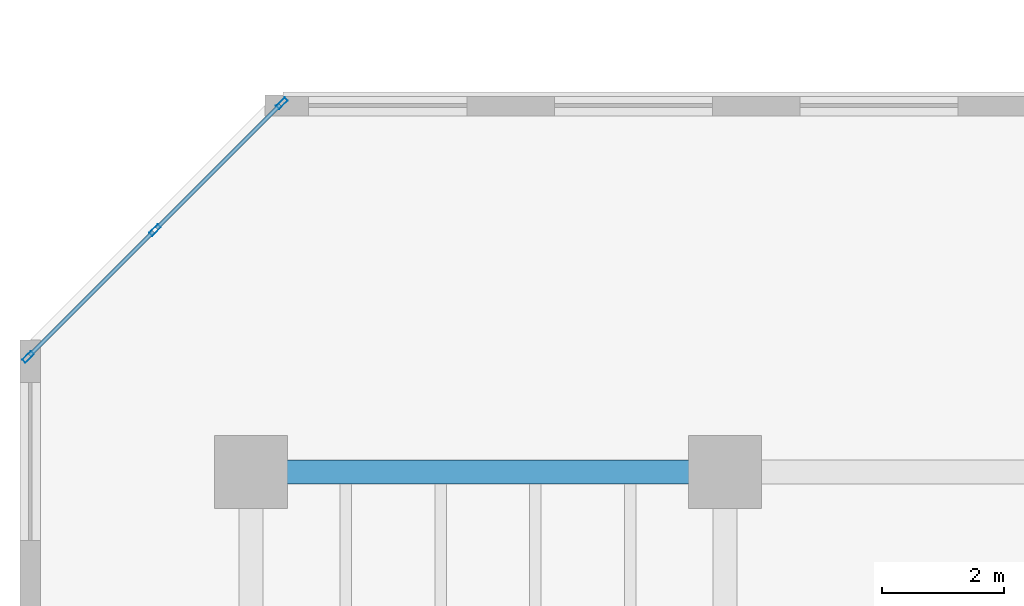
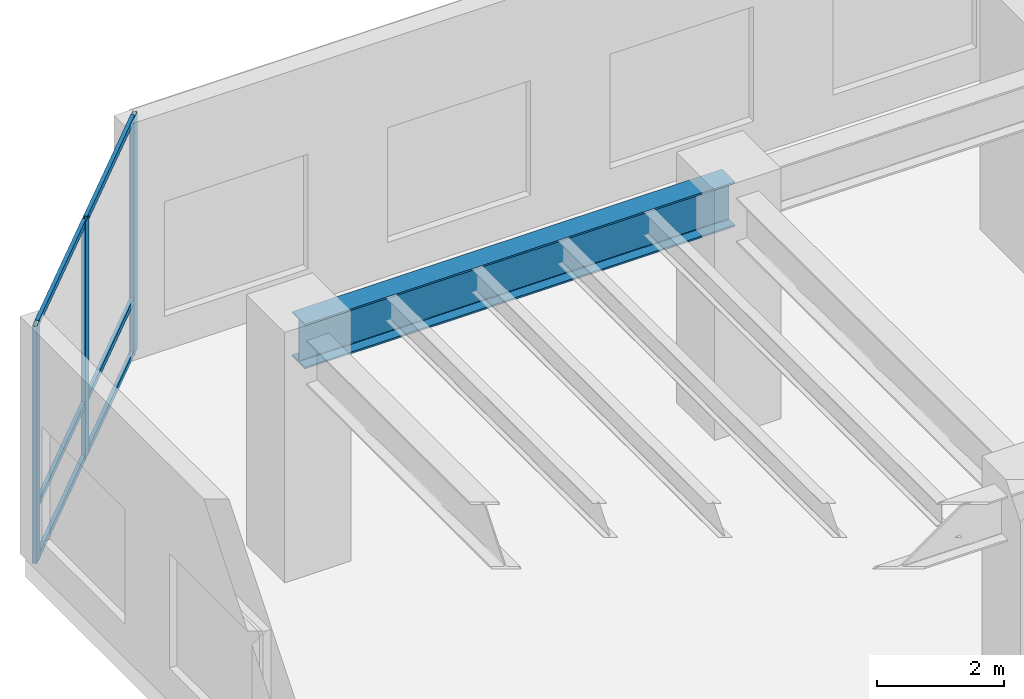
# One storey, part 4 of 17: 9 members, 1 beam, 1 element without a shape of its own.
"""IFC4 building model written with IfcOpenShell, lengths in metres."""

from ifc_helpers import new_model, si_unit, direction, frame, origin, origin_2d, place, context, subcontext, project, spatial, hollow_rectangle, i_section, extrude, material, layer, layer_set, material_profile, profile_set, type_object, element, aggregate, save


model = new_model("IFC4")

# Units and contexts
model_context = context("Model", 3, precision=1e-05, world=origin(), true_north=direction((0.0, 1.0)))
body_context = subcontext(model_context, "Body", "Model", "MODEL_VIEW")
ifc_project = project(units=[si_unit("LENGTHUNIT", "METRE"), si_unit("AREAUNIT", "SQUARE_METRE"), si_unit("VOLUMEUNIT", "CUBIC_METRE"), si_unit("PLANEANGLEUNIT", "RADIAN"), si_unit("MASSUNIT", "GRAM", prefix="KILO")], contexts=[model_context])

# Site, building, storey
site_placement = place(None, origin())
site = spatial("IfcSite", under=ifc_project, at=site_placement, CompositionType="ELEMENT")
building_placement = place(site_placement, origin())
building = spatial("IfcBuilding", under=site, at=building_placement, Name="Kestravale Grand Hotel", CompositionType="ELEMENT")
storey_placement = place(building_placement, frame((0.0, 0.0, 129.800048828125)))
storey = spatial("IfcBuildingStorey", under=building, at=storey_placement, Name="L32", CompositionType="ELEMENT", Elevation=129.800048828125)

# Beam
ifc_material_1 = material(Name="Steel ASTM A992 Grade 50", Category="steel")
ifc_material_profile_1 = material_profile(ifc_material_1, i_section(OverallWidth=0.40087890625, OverallDepth=0.861083984375, WebThickness=0.019775390625, FlangeThickness=0.032470703125, FilletRadius=0.0234375, at=origin_2d()))
ifc_profile_set_1 = profile_set([ifc_material_profile_1], Name="Steel ASTM A992 Grade 50")
beam_type = type_object("IfcBeamType", Name="B-GRD-W33", PredefinedType="BEAM", material=ifc_profile_set_1)
beam_placement = place(storey_placement, frame((7.800048828125, 38.39990234375, 4.079345703125), z_axis=(1.0, 0.0, 0.0), x_axis=(0.0, 1.0, 0.0)))
element("IfcBeam", 1, at=beam_placement, inside=storey, type_object=beam_type, Name="L32 girder F:2-3", PredefinedType="BEAM", context=body_context, shape_type="SweptSolid", body=[
    extrude(i_section(OverallWidth=0.40087890625, OverallDepth=0.861083984375, WebThickness=0.019775390625, FlangeThickness=0.032470703125, FilletRadius=0.0234375, at=origin_2d()), origin(), (0.0, 0.0, 1.0), 7.800048828125),
])

# Curtain wall, members
ifc_material_2 = material(Name="Thermally broken champagne-bronze aluminium and low-E glazing", Category="aluminium")
ifc_layer = layer(ifc_material_2, 0.199951171875)
ifc_layer_set = layer_set([ifc_layer], Name="CW-Z2")
curtain_wall_type = type_object("IfcCurtainWallType", Name="CW-Z2", PredefinedType="NOTDEFINED", material=ifc_layer_set)
curtain_wall_placement = place(storey_placement, origin())
curtain_wall = element("IfcCurtainWall", 2, at=curtain_wall_placement, inside=storey, type_object=curtain_wall_type, Name="L32 unitised curtain wall 18", PredefinedType="NOTDEFINED")
ifc_material_3 = material(Name="Aluminium 6063-T6 anodised", Category="aluminium")
ifc_material_profile_2 = material_profile(ifc_material_3, hollow_rectangle(XDim=0.074951171875, YDim=0.199951171875, WallThickness=0.00390625, at=origin_2d()))
ifc_profile_set_2 = profile_set([ifc_material_profile_2], Name="Aluminium 6063-T6 anodised")
member_type_1 = type_object("IfcMemberType", Name="CW-MUL-200", PredefinedType="MULLION", material=ifc_profile_set_2)
member_1_placement = place(storey_placement, frame((8.307861328125, 44.467529296875, 0.0), z_axis=(0.0, 0.0, 1.0), x_axis=(0.707106781187, -0.707106781187, 0.0)))
member_1 = element("IfcMember", 3, at=member_1_placement, type_object=member_type_1, Name="CW-Z2 mullion 1", PredefinedType="MULLION", context=body_context, shape_type="SweptSolid", body=[
    extrude(hollow_rectangle(XDim=0.074951171875, YDim=0.199951171875, WallThickness=0.00390625, at=origin_2d()), origin(), (0.0, 0.0, 1.0), 4.550048828125),
])
member_2_placement = place(storey_placement, frame((6.22021484375, 42.3798828125, 0.0), z_axis=(0.0, 0.0, 1.0), x_axis=(0.707106781187, -0.707106781187, 0.0)))
member_2 = element("IfcMember", 4, at=member_2_placement, type_object=member_type_1, Name="CW-Z2 mullion 2", PredefinedType="MULLION", context=body_context, shape_type="SweptSolid", body=[
    extrude(hollow_rectangle(XDim=0.074951171875, YDim=0.199951171875, WallThickness=0.00390625, at=origin_2d()), origin(), (0.0, 0.0, 1.0), 4.550048828125),
])
member_3_placement = place(storey_placement, frame((4.132568359375, 40.292236328125, 0.0), z_axis=(0.0, 0.0, 1.0), x_axis=(0.707106781187, -0.707106781187, 0.0)))
member_3 = element("IfcMember", 5, at=member_3_placement, type_object=member_type_1, Name="CW-Z2 mullion 3", PredefinedType="MULLION", context=body_context, shape_type="SweptSolid", body=[
    extrude(hollow_rectangle(XDim=0.074951171875, YDim=0.199951171875, WallThickness=0.00390625, at=origin_2d()), origin(), (0.0, 0.0, 1.0), 4.550048828125),
])
ifc_material_4 = material(Name="Aluminium 6063-T6 anodised", Category="aluminium")
ifc_material_profile_3 = material_profile(ifc_material_4, hollow_rectangle(XDim=0.06494140625, YDim=0.114990234375, WallThickness=0.003173828125, at=origin_2d()))
ifc_profile_set_3 = profile_set([ifc_material_profile_3], Name="Aluminium 6063-T6 anodised")
member_type_2 = type_object("IfcMemberType", Name="CW-TRN-115", PredefinedType="USERDEFINED", material=ifc_profile_set_3)
member_4_placement = place(storey_placement, frame((8.28125, 44.44091796875, 0.032470703125), z_axis=(-0.707064354356, -0.707149205472, 0.0), x_axis=(0.707149205472, -0.707064354356, 0.0)))
member_4 = element("IfcMember", 6, at=member_4_placement, type_object=member_type_2, Name="CW-Z2 transom 1.1", ObjectType="TRANSOM", PredefinedType="USERDEFINED", context=body_context, shape_type="SweptSolid", body=[
    extrude(hollow_rectangle(XDim=0.06494140625, YDim=0.114990234375, WallThickness=0.003173828125, at=origin_2d()), origin(), (0.0, 0.0, 1.0), 2.877197265625),
])
member_5_placement = place(storey_placement, frame((8.28125, 44.44091796875, 1.050048828125), z_axis=(-0.707064354356, -0.707149205472, 0.0), x_axis=(0.707149205472, -0.707064354356, 0.0)))
member_5 = element("IfcMember", 7, at=member_5_placement, type_object=member_type_2, Name="CW-Z2 transom 1.2", ObjectType="TRANSOM", PredefinedType="USERDEFINED", context=body_context, shape_type="SweptSolid", body=[
    extrude(hollow_rectangle(XDim=0.06494140625, YDim=0.114990234375, WallThickness=0.003173828125, at=origin_2d()), origin(), (0.0, 0.0, 1.0), 2.877197265625),
])
member_6_placement = place(storey_placement, frame((8.28125, 44.44091796875, 4.517333984375), z_axis=(-0.707064354356, -0.707149205472, 0.0), x_axis=(0.707149205472, -0.707064354356, 0.0)))
member_6 = element("IfcMember", 8, at=member_6_placement, type_object=member_type_2, Name="CW-Z2 transom 1.3", ObjectType="TRANSOM", PredefinedType="USERDEFINED", context=body_context, shape_type="SweptSolid", body=[
    extrude(hollow_rectangle(XDim=0.06494140625, YDim=0.114990234375, WallThickness=0.003173828125, at=origin_2d()), origin(), (0.0, 0.0, 1.0), 2.877197265625),
])
member_7_placement = place(storey_placement, frame((6.193603515625, 42.353271484375, 0.032470703125), z_axis=(-0.707106781187, -0.707106781187, 0.0), x_axis=(0.707106781187, -0.707106781187, 0.0)))
member_7 = element("IfcMember", 9, at=member_7_placement, type_object=member_type_2, Name="CW-Z2 transom 2.1", ObjectType="TRANSOM", PredefinedType="USERDEFINED", context=body_context, shape_type="SweptSolid", body=[
    extrude(hollow_rectangle(XDim=0.06494140625, YDim=0.114990234375, WallThickness=0.003173828125, at=origin_2d()), origin(), (0.0, 0.0, 1.0), 2.87744140625),
])
member_8_placement = place(storey_placement, frame((6.193603515625, 42.353271484375, 1.050048828125), z_axis=(-0.707106781187, -0.707106781187, 0.0), x_axis=(0.707106781187, -0.707106781187, 0.0)))
member_8 = element("IfcMember", 10, at=member_8_placement, type_object=member_type_2, Name="CW-Z2 transom 2.2", ObjectType="TRANSOM", PredefinedType="USERDEFINED", context=body_context, shape_type="SweptSolid", body=[
    extrude(hollow_rectangle(XDim=0.06494140625, YDim=0.114990234375, WallThickness=0.003173828125, at=origin_2d()), origin(), (0.0, 0.0, 1.0), 2.87744140625),
])
member_9_placement = place(storey_placement, frame((6.193603515625, 42.353271484375, 4.517333984375), z_axis=(-0.707106781187, -0.707106781187, 0.0), x_axis=(0.707106781187, -0.707106781187, 0.0)))
member_9 = element("IfcMember", 11, at=member_9_placement, type_object=member_type_2, Name="CW-Z2 transom 2.3", ObjectType="TRANSOM", PredefinedType="USERDEFINED", context=body_context, shape_type="SweptSolid", body=[
    extrude(hollow_rectangle(XDim=0.06494140625, YDim=0.114990234375, WallThickness=0.003173828125, at=origin_2d()), origin(), (0.0, 0.0, 1.0), 2.87744140625),
])
aggregate(curtain_wall, [member_1, member_2, member_3, member_4, member_5, member_6, member_7, member_8, member_9])

save(model, "model.ifc")
